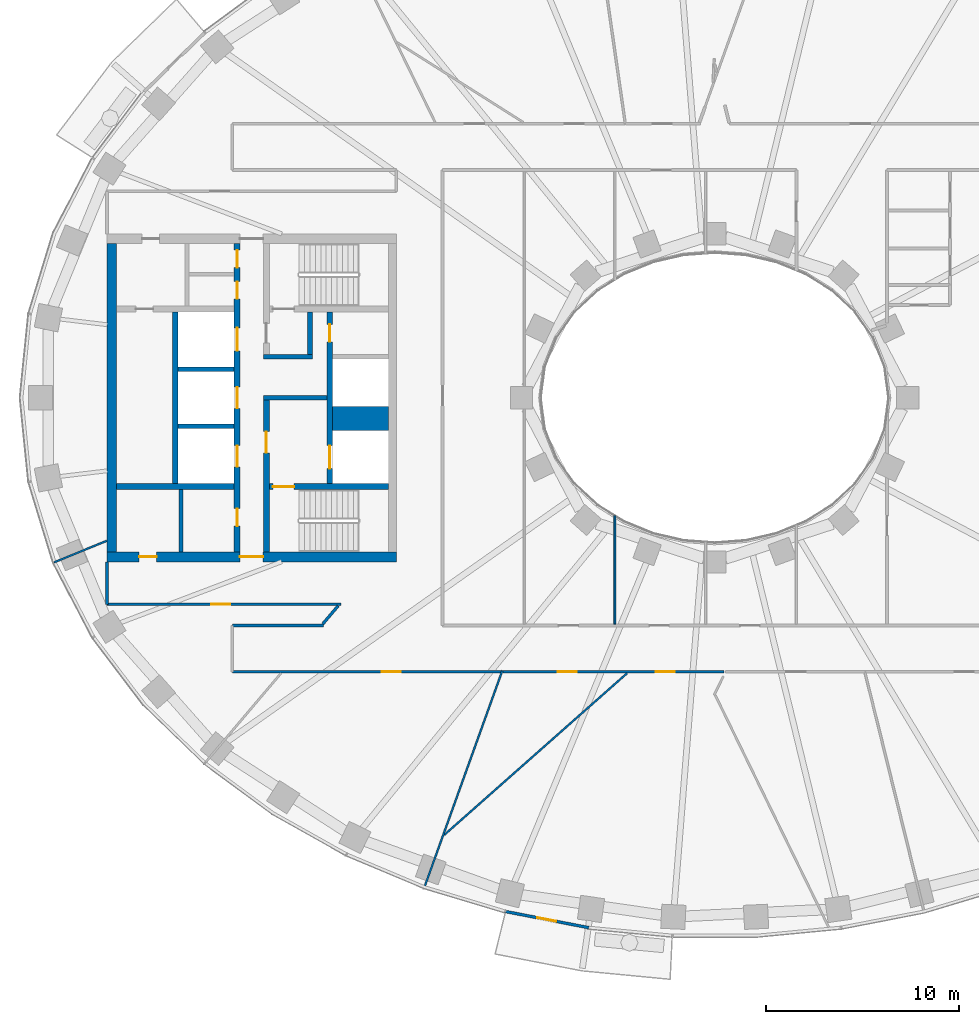
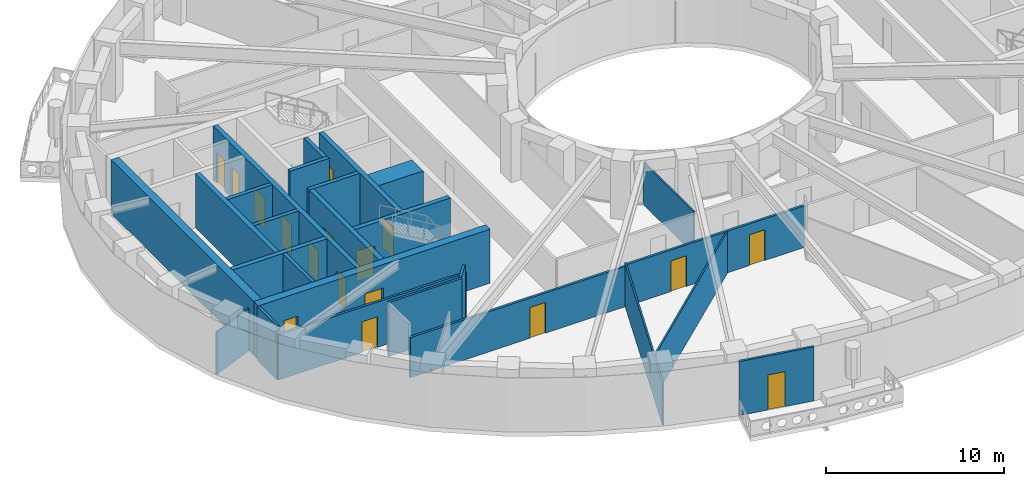
# One storey, part 3 of 16: 26 walls, 17 doors, 17 openings.
"""IFC4 building model written with IfcOpenShell, lengths in metres."""

from ifc_helpers import new_model, si_unit, direction, frame, frame_2d, origin, place, context, subcontext, project, spatial, rectangle, extrude, material, layer, layer_set, type_object, element, fill, save


model = new_model("IFC4")

# Units and contexts
model_context = context("Model", 3, precision=1e-05, world=origin(), true_north=direction((0.0, 1.0)))
body_context = subcontext(model_context, "Body", "Model", "MODEL_VIEW")
ifc_project = project(units=[si_unit("LENGTHUNIT", "METRE"), si_unit("AREAUNIT", "SQUARE_METRE"), si_unit("VOLUMEUNIT", "CUBIC_METRE"), si_unit("PLANEANGLEUNIT", "RADIAN"), si_unit("MASSUNIT", "GRAM", prefix="KILO")], contexts=[model_context])

# Site, building, storey
site_placement = place(None, origin())
site = spatial("IfcSite", under=ifc_project, at=site_placement, CompositionType="ELEMENT")
building_placement = place(site_placement, origin())
building = spatial("IfcBuilding", under=site, at=building_placement, Name="Noorbagh Ring Tower", CompositionType="ELEMENT")
storey_placement = place(building_placement, frame((0.0, 0.0, 124.0)))
storey = spatial("IfcBuildingStorey", under=building, at=storey_placement, Name="L28", CompositionType="ELEMENT", Elevation=124.0)

# Walls
ifc_material_1 = material(Name="Gypsum board on steel studs", Category="steel")
ifc_layer_1 = layer(ifc_material_1, 0.199951171875)
ifc_layer_set_1 = layer_set([ifc_layer_1], Name="Gypsum board on steel studs")
wall_type_1 = type_object("IfcWallType", Name="CORE-PARTITION-200", PredefinedType="PARTITIONING", material=ifc_layer_set_1)
wall_1_placement = place(storey_placement, frame((-27.64990234375, -8.0, 0.0), z_axis=(0.0, 0.0, 1.0), x_axis=(0.0, 1.0, 0.0)))
element("IfcWall", 1, at=wall_1_placement, inside=storey, type_object=wall_type_1, Name="Core partition W", PredefinedType="PARTITIONING", context=body_context, shape_type="SweptSolid", body=[
    extrude(rectangle(XDim=3.25, YDim=0.199951171875, at=frame_2d((1.625, 0.0))), origin(), (0.0, 0.0, 1.0), 3.699951171875),
])
ifc_material_2 = material(Name="Concrete C70/85", Category="concrete")
ifc_layer_2 = layer(ifc_material_2, 1.25)
ifc_layer_set_2 = layer_set([ifc_layer_2], Name="Concrete C70/85")
wall_type_2 = type_object("IfcWallType", Name="CORE-WALL-1250-C70-85-EI120", PredefinedType="SHEAR", material=ifc_layer_set_2)
wall_2_placement = place(storey_placement, frame((-16.89990234375, -1.074951171875, 0.0), z_axis=(0.0, 0.0, 1.0), x_axis=(-1.0, 0.0, 0.0)))
element("IfcWall", 2, at=wall_2_placement, inside=storey, type_object=wall_type_2, Name="Core wall W", PredefinedType="SHEAR", context=body_context, shape_type="SweptSolid", body=[
    extrude(rectangle(XDim=2.900146484375, YDim=1.25, at=frame_2d((1.4501953125, 0.0))), origin(), (0.0, 0.0, 1.0), 3.699951171875),
])
ifc_material_3 = material(Name="Concrete C70/85", Category="concrete")
ifc_layer_3 = layer(ifc_material_3, 0.25)
ifc_layer_set_3 = layer_set([ifc_layer_3], Name="Concrete C70/85")
wall_type_3 = type_object("IfcWallType", Name="CORE-WALL-250-C70-85-EI120", PredefinedType="SHEAR", material=ifc_layer_set_3)
for number, where, z_axis, x_axis, name in (
    (3, (-24.89990234375, -1.47509765625, 0.0), (0.0, 0.0, 1.0), (-1.0, 0.0, 0.0), "Core wall W"),
    (4, (-24.89990234375, 1.47509765625, 0.0), (0.0, 0.0, 1.0), (-1.0, 0.0, 0.0), "Core wall W"),
):
    element("IfcWall", number, at=place(storey_placement, frame(where, z_axis=z_axis, x_axis=x_axis)), inside=storey, type_object=wall_type_3, Name=name, PredefinedType="SHEAR", context=body_context, shape_type="SweptSolid", body=[
        extrude(rectangle(XDim=2.900146484375, YDim=0.25, at=frame_2d((1.4501953125, 0.0))), origin(), (0.0, 0.0, 1.0), 3.699951171875),
    ])
ifc_material_4 = material(Name="Concrete C70/85", Category="concrete")
ifc_layer_4 = layer(ifc_material_4, 0.25)
ifc_layer_set_4 = layer_set([ifc_layer_4], Name="Concrete C70/85")
wall_type_4 = type_object("IfcWallType", Name="CORE-WALL-250-C70-85-EI240", PredefinedType="SHEAR", material=ifc_layer_set_4)
wall_3_placement = place(storey_placement, frame((-20.10009765625, 0.0, 0.0), z_axis=(0.0, 0.0, 1.0), x_axis=(-1.0, 0.0, 0.0)))
element("IfcWall", 5, at=wall_3_placement, inside=storey, type_object=wall_type_4, Name="Core wall W", PredefinedType="SHEAR", context=body_context, shape_type="SweptSolid", body=[
    extrude(rectangle(XDim=3.27978515625, YDim=0.25, at=frame_2d((1.639892578125, 0.0))), origin(), (0.0, 0.0, 1.0), 3.699951171875),
])
wall_4_placement = place(storey_placement, frame((-20.85009765625, 2.125, 0.0), z_axis=(0.0, 0.0, 1.0), x_axis=(-1.0, 0.0, 0.0)))
element("IfcWall", 6, at=wall_4_placement, inside=storey, type_object=wall_type_4, Name="Core wall W", PredefinedType="SHEAR", context=body_context, shape_type="SweptSolid", body=[
    extrude(rectangle(XDim=2.52978515625, YDim=0.25, at=frame_2d((1.264892578125, 0.0))), origin(), (0.0, 0.0, 1.0), 3.699951171875),
])
wall_5_placement = place(storey_placement, frame((-20.97509765625, 2.25, 0.0), z_axis=(0.0, 0.0, 1.0), x_axis=(0.0, 1.0, 0.0)))
element("IfcWall", 7, at=wall_5_placement, inside=storey, type_object=wall_type_4, Name="Core wall W", PredefinedType="SHEAR", context=body_context, shape_type="SweptSolid", body=[
    extrude(rectangle(XDim=2.199951171875, YDim=0.25, at=frame_2d((1.10009765625, 0.0))), origin(), (0.0, 0.0, 1.0), 3.699951171875),
])
ifc_material_5 = material(Name="Concrete C70/85", Category="concrete")
ifc_layer_5 = layer(ifc_material_5, 0.300048828125)
ifc_layer_set_5 = layer_set([ifc_layer_5], Name="Concrete C70/85")
wall_type_5 = type_object("IfcWallType", Name="CORE-WALL-300-C70-85-EI120", PredefinedType="SHEAR", material=ifc_layer_set_5)
wall_6_placement = place(storey_placement, frame((-27.949951171875, -4.449951171875, 0.0), z_axis=(0.0, 0.0, 1.0), x_axis=(0.0, 1.0, 0.0)))
element("IfcWall", 8, at=wall_6_placement, inside=storey, type_object=wall_type_5, Name="Core wall W", PredefinedType="SHEAR", context=body_context, shape_type="SweptSolid", body=[
    extrude(rectangle(XDim=8.89990234375, YDim=0.300048828125, at=frame_2d((4.449951171875, 0.0))), origin(), (0.0, 0.0, 1.0), 3.699951171875),
])

# Wall, openings, doors
wall_7_placement = place(storey_placement, frame((-19.949951171875, -4.449951171875, 0.0), z_axis=(0.0, 0.0, 1.0), x_axis=(0.0, 1.0, 0.0)))
wall_7 = element("IfcWall", 9, at=wall_7_placement, inside=storey, type_object=wall_type_5, Name="Core wall W", PredefinedType="SHEAR", context=body_context, shape_type="SweptSolid", body=[
    extrude(rectangle(XDim=8.89990234375, YDim=0.300048828125, at=frame_2d((4.449951171875, 0.0))), origin(), (0.0, 0.0, 1.0), 3.699951171875),
])
opening_1_placement = place(wall_7_placement, frame((0.77490234375, 0.0, 0.0)))
opening_1 = element("IfcOpeningElement", 10, at=opening_1_placement, cuts=wall_7, Name="Opening L28-CW01", PredefinedType="OPENING", context=body_context, shape_type="SweptSolid", body=[
    extrude(rectangle(XDim=1.199951171875, YDim=2.10009765625, at=frame_2d((0.60009765625, 1.050048828125))), frame((0.0, 0.16015625, 0.0), z_axis=(0.0, -1.0, 0.0), x_axis=(1.0, 0.0, 0.0)), (0.0, 0.0, 1.0), 0.320068359375),
])
opening_2_placement = place(wall_7_placement, frame((7.35009765625, 0.0, 0.0)))
opening_2 = element("IfcOpeningElement", 11, at=opening_2_placement, cuts=wall_7, Name="Opening L28-CW11", PredefinedType="OPENING", context=body_context, shape_type="SweptSolid", body=[
    extrude(rectangle(XDim=0.89990234375, YDim=2.10009765625, at=frame_2d((0.449951171875, 1.050048828125))), frame((0.0, 0.16015625, 0.0), z_axis=(0.0, -1.0, 0.0), x_axis=(1.0, 0.0, 0.0)), (0.0, 0.0, 1.0), 0.320068359375),
])
ifc_material_6 = material(Name="Steel door leaf", Category="steel")
door_type_1 = type_object("IfcDoorType", Name="CORE-DOOR-DROOM", OperationType="SINGLE_SWING_LEFT", PredefinedType="DOOR", material=ifc_material_6)
door_1_placement = place(opening_2_placement, origin())
door_1 = element("IfcDoor", 12, at=door_1_placement, inside=storey, type_object=door_type_1, Name="Core room door L28-CW11", OperationType="SINGLE_SWING_LEFT", OverallHeight=2.10009765625, OverallWidth=0.89990234375, PredefinedType="DOOR", context=body_context, shape_type="SweptSolid", body=[
    extrude(rectangle(XDim=0.89990234375, YDim=2.10009765625, at=frame_2d((0.449951171875, 1.050048828125))), frame((0.0, 0.02490234375, 0.0), z_axis=(0.0, -1.0, 0.0), x_axis=(1.0, 0.0, 0.0)), (0.0, 0.0, 1.0), 0.050048828125),
])
fill(opening_2, door_1)
ifc_material_7 = material(Name="Steel door leaf", Category="steel")
door_type_2 = type_object("IfcDoorType", Name="CORE-DOOR-LDW", OperationType="DOUBLE_DOOR_SLIDING", PredefinedType="DOOR", material=ifc_material_7)
door_2_placement = place(opening_1_placement, origin())
door_2 = element("IfcDoor", 13, at=door_2_placement, inside=storey, type_object=door_type_2, Name="Landing door FF1 L28-CW01", OperationType="DOUBLE_DOOR_SLIDING", OverallHeight=2.10009765625, OverallWidth=1.199951171875, PredefinedType="DOOR", context=body_context, shape_type="SweptSolid", body=[
    extrude(rectangle(XDim=1.199951171875, YDim=2.10009765625, at=frame_2d((0.60009765625, 1.050048828125))), frame((0.0, 0.02490234375, 0.0), z_axis=(0.0, -1.0, 0.0), x_axis=(1.0, 0.0, 0.0)), (0.0, 0.0, 1.0), 0.050048828125),
])
fill(opening_1, door_2)

wall_8_placement = place(storey_placement, frame((-24.75, -8.0, 0.0), z_axis=(0.0, 0.0, 1.0), x_axis=(0.0, 1.0, 0.0)))
wall_8 = element("IfcWall", 14, at=wall_8_placement, inside=storey, type_object=wall_type_5, Name="Core wall W", PredefinedType="SHEAR", context=body_context, shape_type="SweptSolid", body=[
    extrude(rectangle(XDim=16.0, YDim=0.300048828125, at=frame_2d((8.0, 0.0))), origin(), (0.0, 0.0, 1.0), 3.699951171875),
])
opening_3_placement = place(wall_8_placement, frame((4.425048828125, 0.0, 0.0)))
opening_3 = element("IfcOpeningElement", 15, at=opening_3_placement, cuts=wall_8, Name="Opening L28-CW02", PredefinedType="OPENING", context=body_context, shape_type="SweptSolid", body=[
    extrude(rectangle(XDim=1.10009765625, YDim=2.10009765625, at=frame_2d((0.550048828125, 1.050048828125))), frame((0.0, 0.16015625, 0.0), z_axis=(0.0, -1.0, 0.0), x_axis=(1.0, 0.0, 0.0)), (0.0, 0.0, 1.0), 0.320068359375),
])
opening_4_placement = place(wall_8_placement, frame((7.449951171875, 0.0, 0.0)))
opening_4 = element("IfcOpeningElement", 16, at=opening_4_placement, cuts=wall_8, Name="Opening L28-CW03", PredefinedType="OPENING", context=body_context, shape_type="SweptSolid", body=[
    extrude(rectangle(XDim=1.10009765625, YDim=2.10009765625, at=frame_2d((0.550048828125, 1.050048828125))), frame((0.0, 0.16015625, 0.0), z_axis=(0.0, -1.0, 0.0), x_axis=(1.0, 0.0, 0.0)), (0.0, 0.0, 1.0), 0.320068359375),
])
opening_5_placement = place(wall_8_placement, frame((10.425048828125, 0.0, 0.0)))
opening_5 = element("IfcOpeningElement", 17, at=opening_5_placement, cuts=wall_8, Name="Opening L28-CW04", PredefinedType="OPENING", context=body_context, shape_type="SweptSolid", body=[
    extrude(rectangle(XDim=1.199951171875, YDim=2.10009765625, at=frame_2d((0.60009765625, 1.050048828125))), frame((0.0, 0.16015625, 0.0), z_axis=(0.0, -1.0, 0.0), x_axis=(1.0, 0.0, 0.0)), (0.0, 0.0, 1.0), 0.320068359375),
])
opening_6_placement = place(wall_8_placement, frame((13.125, 0.0, 0.0)))
opening_6 = element("IfcOpeningElement", 18, at=opening_6_placement, cuts=wall_8, Name="Opening L28-CW12", PredefinedType="OPENING", context=body_context, shape_type="SweptSolid", body=[
    extrude(rectangle(XDim=0.89990234375, YDim=2.10009765625, at=frame_2d((0.449951171875, 1.050048828125))), frame((0.0, 0.16015625, 0.0), z_axis=(0.0, -1.0, 0.0), x_axis=(1.0, 0.0, 0.0)), (0.0, 0.0, 1.0), 0.320068359375),
])
opening_7_placement = place(wall_8_placement, frame((14.75, 0.0, 0.0)))
opening_7 = element("IfcOpeningElement", 19, at=opening_7_placement, cuts=wall_8, Name="Opening L28-CW13", PredefinedType="OPENING", context=body_context, shape_type="SweptSolid", body=[
    extrude(rectangle(XDim=0.89990234375, YDim=2.10009765625, at=frame_2d((0.449951171875, 1.050048828125))), frame((0.0, 0.16015625, 0.0), z_axis=(0.0, -1.0, 0.0), x_axis=(1.0, 0.0, 0.0)), (0.0, 0.0, 1.0), 0.320068359375),
])
opening_8_placement = place(wall_8_placement, frame((1.35009765625, 0.0, 0.0)))
opening_8 = element("IfcOpeningElement", 20, at=opening_8_placement, cuts=wall_8, Name="Opening L28-CW15", PredefinedType="OPENING", context=body_context, shape_type="SweptSolid", body=[
    extrude(rectangle(XDim=0.89990234375, YDim=2.10009765625, at=frame_2d((0.449951171875, 1.050048828125))), frame((0.0, 0.16015625, 0.0), z_axis=(0.0, -1.0, 0.0), x_axis=(1.0, 0.0, 0.0)), (0.0, 0.0, 1.0), 0.320068359375),
])
door_3_placement = place(opening_6_placement, origin())
door_3 = element("IfcDoor", 21, at=door_3_placement, inside=storey, type_object=door_type_1, Name="Core room door L28-CW12", OperationType="SINGLE_SWING_LEFT", OverallHeight=2.10009765625, OverallWidth=0.89990234375, PredefinedType="DOOR", context=body_context, shape_type="SweptSolid", body=[
    extrude(rectangle(XDim=0.89990234375, YDim=2.10009765625, at=frame_2d((0.449951171875, 1.050048828125))), frame((0.0, 0.02490234375, 0.0), z_axis=(0.0, -1.0, 0.0), x_axis=(1.0, 0.0, 0.0)), (0.0, 0.0, 1.0), 0.050048828125),
])
fill(opening_6, door_3)
door_4_placement = place(opening_7_placement, origin())
door_4 = element("IfcDoor", 22, at=door_4_placement, inside=storey, type_object=door_type_1, Name="Core room door L28-CW13", OperationType="SINGLE_SWING_RIGHT", OverallHeight=2.10009765625, OverallWidth=0.89990234375, PredefinedType="DOOR", context=body_context, shape_type="SweptSolid", body=[
    extrude(rectangle(XDim=0.89990234375, YDim=2.10009765625, at=frame_2d((0.449951171875, 1.050048828125))), frame((0.0, 0.02490234375, 0.0), z_axis=(0.0, -1.0, 0.0), x_axis=(1.0, 0.0, 0.0)), (0.0, 0.0, 1.0), 0.050048828125),
])
fill(opening_7, door_4)
door_5_placement = place(opening_8_placement, origin())
door_5 = element("IfcDoor", 23, at=door_5_placement, inside=storey, type_object=door_type_1, Name="Core room door L28-CW15", OperationType="SINGLE_SWING_LEFT", OverallHeight=2.10009765625, OverallWidth=0.89990234375, PredefinedType="DOOR", context=body_context, shape_type="SweptSolid", body=[
    extrude(rectangle(XDim=0.89990234375, YDim=2.10009765625, at=frame_2d((0.449951171875, 1.050048828125))), frame((0.0, 0.02490234375, 0.0), z_axis=(0.0, -1.0, 0.0), x_axis=(1.0, 0.0, 0.0)), (0.0, 0.0, 1.0), 0.050048828125),
])
fill(opening_8, door_5)
ifc_material_8 = material(Name="Steel door leaf", Category="steel")
door_type_3 = type_object("IfcDoorType", Name="CORE-DOOR-LD", OperationType="DOUBLE_DOOR_SLIDING", PredefinedType="DOOR", material=ifc_material_8)
door_6_placement = place(opening_3_placement, origin())
door_6 = element("IfcDoor", 24, at=door_6_placement, inside=storey, type_object=door_type_3, Name="Landing door LR1 L28-CW02", OperationType="DOUBLE_DOOR_SLIDING", OverallHeight=2.10009765625, OverallWidth=1.10009765625, PredefinedType="DOOR", context=body_context, shape_type="SweptSolid", body=[
    extrude(rectangle(XDim=1.10009765625, YDim=2.10009765625, at=frame_2d((0.550048828125, 1.050048828125))), frame((0.0, 0.02490234375, 0.0), z_axis=(0.0, -1.0, 0.0), x_axis=(1.0, 0.0, 0.0)), (0.0, 0.0, 1.0), 0.050048828125),
])
fill(opening_3, door_6)
door_7_placement = place(opening_4_placement, origin())
door_7 = element("IfcDoor", 25, at=door_7_placement, inside=storey, type_object=door_type_3, Name="Landing door LR2 L28-CW03", OperationType="DOUBLE_DOOR_SLIDING", OverallHeight=2.10009765625, OverallWidth=1.10009765625, PredefinedType="DOOR", context=body_context, shape_type="SweptSolid", body=[
    extrude(rectangle(XDim=1.10009765625, YDim=2.10009765625, at=frame_2d((0.550048828125, 1.050048828125))), frame((0.0, 0.02490234375, 0.0), z_axis=(0.0, -1.0, 0.0), x_axis=(1.0, 0.0, 0.0)), (0.0, 0.0, 1.0), 0.050048828125),
])
fill(opening_4, door_7)
door_8_placement = place(opening_5_placement, origin())
door_8 = element("IfcDoor", 26, at=door_8_placement, inside=storey, type_object=door_type_2, Name="Landing door SV1 L28-CW04", OperationType="DOUBLE_DOOR_SLIDING", OverallHeight=2.10009765625, OverallWidth=1.199951171875, PredefinedType="DOOR", context=body_context, shape_type="SweptSolid", body=[
    extrude(rectangle(XDim=1.199951171875, YDim=2.10009765625, at=frame_2d((0.60009765625, 1.050048828125))), frame((0.0, 0.02490234375, 0.0), z_axis=(0.0, -1.0, 0.0), x_axis=(1.0, 0.0, 0.0)), (0.0, 0.0, 1.0), 0.050048828125),
])
fill(opening_5, door_8)

# Wall
ifc_material_9 = material(Name="Concrete C70/85", Category="concrete")
ifc_layer_6 = layer(ifc_material_9, 0.300048828125)
ifc_layer_set_6 = layer_set([ifc_layer_6], Name="Concrete C70/85")
wall_type_6 = type_object("IfcWallType", Name="CORE-WALL-300-C70-85-EI240", PredefinedType="SHEAR", material=ifc_layer_set_6)
wall_9_placement = place(storey_placement, frame((-24.89990234375, -4.60009765625, 0.0), z_axis=(0.0, 0.0, 1.0), x_axis=(-1.0, 0.0, 0.0)))
element("IfcWall", 27, at=wall_9_placement, inside=storey, type_object=wall_type_6, Name="Core wall W", PredefinedType="SHEAR", context=body_context, shape_type="SweptSolid", body=[
    extrude(rectangle(XDim=6.10009765625, YDim=0.300048828125, at=frame_2d((3.050048828125, 0.0))), origin(), (0.0, 0.0, 1.0), 3.699951171875),
])

# Wall, opening, door
wall_10_placement = place(storey_placement, frame((-23.22998046875, -8.0, 0.0), z_axis=(0.0, 0.0, 1.0), x_axis=(0.0, 1.0, 0.0)))
wall_10 = element("IfcWall", 28, at=wall_10_placement, inside=storey, type_object=wall_type_6, Name="Core wall W", PredefinedType="SHEAR", context=body_context, shape_type="SweptSolid", body=[
    extrude(rectangle(XDim=7.875, YDim=0.300048828125, at=frame_2d((3.9375, 0.0))), origin(), (0.0, 0.0, 1.0), 3.699951171875),
])
opening_9_placement = place(wall_10_placement, frame((5.14990234375, 0.0, 0.0)))
opening_9 = element("IfcOpeningElement", 29, at=opening_9_placement, cuts=wall_10, Name="Opening L28-CW07", PredefinedType="OPENING", context=body_context, shape_type="SweptSolid", body=[
    extrude(rectangle(XDim=1.10009765625, YDim=2.10009765625, at=frame_2d((0.550048828125, 1.050048828125))), frame((0.0, 0.16015625, 0.0), z_axis=(0.0, -1.0, 0.0), x_axis=(1.0, 0.0, 0.0)), (0.0, 0.0, 1.0), 0.320068359375),
])
ifc_material_10 = material(Name="Steel door leaf", Category="steel")
door_type_4 = type_object("IfcDoorType", Name="CORE-DOOR-DFF", OperationType="SINGLE_SWING_LEFT", PredefinedType="DOOR", material=ifc_material_10)
door_9_placement = place(opening_9_placement, origin())
door_9 = element("IfcDoor", 30, at=door_9_placement, inside=storey, type_object=door_type_4, Name="Firefighting lobby door L28-CW07", OperationType="SINGLE_SWING_LEFT", OverallHeight=2.10009765625, OverallWidth=1.10009765625, PredefinedType="DOOR", context=body_context, shape_type="SweptSolid", body=[
    extrude(rectangle(XDim=1.10009765625, YDim=2.10009765625, at=frame_2d((0.550048828125, 1.050048828125))), frame((0.0, 0.02490234375, 0.0), z_axis=(0.0, -1.0, 0.0), x_axis=(1.0, 0.0, 0.0)), (0.0, 0.0, 1.0), 0.050048828125),
])
fill(opening_9, door_9)

wall_11_placement = place(storey_placement, frame((-16.89990234375, -4.60009765625, 0.0), z_axis=(0.0, 0.0, 1.0), x_axis=(-1.0, 0.0, 0.0)))
wall_11 = element("IfcWall", 31, at=wall_11_placement, inside=storey, type_object=wall_type_6, Name="Core wall W", PredefinedType="SHEAR", context=body_context, shape_type="SweptSolid", body=[
    extrude(rectangle(XDim=6.18017578125, YDim=0.300048828125, at=frame_2d((3.090087890625, 0.0))), origin(), (0.0, 0.0, 1.0), 3.699951171875),
])
opening_10_placement = place(wall_11_placement, frame((4.89990234375, 0.0, 0.0)))
opening_10 = element("IfcOpeningElement", 32, at=opening_10_placement, cuts=wall_11, Name="Opening L28-CW06", PredefinedType="OPENING", context=body_context, shape_type="SweptSolid", body=[
    extrude(rectangle(XDim=1.10009765625, YDim=2.10009765625, at=frame_2d((0.550048828125, 1.050048828125))), frame((0.0, 0.16015625, 0.0), z_axis=(0.0, -1.0, 0.0), x_axis=(1.0, 0.0, 0.0)), (0.0, 0.0, 1.0), 0.320068359375),
])
ifc_material_11 = material(Name="Steel door leaf", Category="steel")
door_type_5 = type_object("IfcDoorType", Name="CORE-DOOR-DSTAIR", OperationType="SINGLE_SWING_LEFT", PredefinedType="DOOR", material=ifc_material_11)
door_10_placement = place(opening_10_placement, origin())
door_10 = element("IfcDoor", 33, at=door_10_placement, inside=storey, type_object=door_type_5, Name="Stair door ST2 L28-CW06", OperationType="SINGLE_SWING_LEFT", OverallHeight=2.10009765625, OverallWidth=1.10009765625, PredefinedType="DOOR", context=body_context, shape_type="SweptSolid", body=[
    extrude(rectangle(XDim=1.10009765625, YDim=2.10009765625, at=frame_2d((0.550048828125, 1.050048828125))), frame((0.0, 0.02490234375, 0.0), z_axis=(0.0, -1.0, 0.0), x_axis=(1.0, 0.0, 0.0)), (0.0, 0.0, 1.0), 0.050048828125),
])
fill(opening_10, door_10)

# Wall, openings, doors
ifc_material_12 = material(Name="Concrete C70/85", Category="concrete")
ifc_layer_7 = layer(ifc_material_12, 0.5)
ifc_layer_set_7 = layer_set([ifc_layer_7], Name="Concrete C70/85")
wall_type_7 = type_object("IfcWallType", Name="CORE-WALL-500-C70-85-EI240", PredefinedType="SHEAR", material=ifc_layer_set_7)
wall_12_placement = place(storey_placement, frame((-16.5, -8.25, 0.0), z_axis=(0.0, 0.0, 1.0), x_axis=(-1.0, 0.0, 0.0)))
wall_12 = element("IfcWall", 34, at=wall_12_placement, inside=storey, type_object=wall_type_7, Name="Core wall W", PredefinedType="SHEAR", context=body_context, shape_type="SweptSolid", body=[
    extrude(rectangle(XDim=15.0, YDim=0.5, at=frame_2d((7.5, 0.0))), origin(), (0.0, 0.0, 1.0), 3.699951171875),
])
opening_11_placement = place(wall_12_placement, frame((6.89990234375, 0.0, 0.0)))
opening_11 = element("IfcOpeningElement", 35, at=opening_11_placement, cuts=wall_12, Name="Opening L28-CW10", PredefinedType="OPENING", context=body_context, shape_type="SweptSolid", body=[
    extrude(rectangle(XDim=1.199951171875, YDim=2.10009765625, at=frame_2d((0.60009765625, 1.050048828125))), frame((0.0, 0.260009765625, 0.0), z_axis=(0.0, -1.0, 0.0), x_axis=(1.0, 0.0, 0.0)), (0.0, 0.0, 1.0), 0.52001953125),
])
opening_12_placement = place(wall_12_placement, frame((12.425048828125, 0.0, 0.0)))
opening_12 = element("IfcOpeningElement", 36, at=opening_12_placement, cuts=wall_12, Name="Opening L28-CW16", PredefinedType="OPENING", context=body_context, shape_type="SweptSolid", body=[
    extrude(rectangle(XDim=0.89990234375, YDim=2.10009765625, at=frame_2d((0.449951171875, 1.050048828125))), frame((0.0, 0.260009765625, 0.0), z_axis=(0.0, -1.0, 0.0), x_axis=(1.0, 0.0, 0.0)), (0.0, 0.0, 1.0), 0.52001953125),
])
door_11_placement = place(opening_12_placement, origin())
door_11 = element("IfcDoor", 37, at=door_11_placement, inside=storey, type_object=door_type_1, Name="Core room door L28-CW16", OperationType="SINGLE_SWING_LEFT", OverallHeight=2.10009765625, OverallWidth=0.89990234375, PredefinedType="DOOR", context=body_context, shape_type="SweptSolid", body=[
    extrude(rectangle(XDim=0.89990234375, YDim=2.10009765625, at=frame_2d((0.449951171875, 1.050048828125))), frame((0.0, 0.02490234375, 0.0), z_axis=(0.0, -1.0, 0.0), x_axis=(1.0, 0.0, 0.0)), (0.0, 0.0, 1.0), 0.050048828125),
])
fill(opening_12, door_11)
ifc_material_13 = material(Name="Steel door leaf", Category="steel")
door_type_6 = type_object("IfcDoorType", Name="CORE-DOOR-PORT", OperationType="DOUBLE_DOOR_DOUBLE_SWING", PredefinedType="DOOR", material=ifc_material_13)
door_12_placement = place(opening_11_placement, origin())
door_12 = element("IfcDoor", 38, at=door_12_placement, inside=storey, type_object=door_type_6, Name="Core entrance door L28-CW10", OperationType="DOUBLE_DOOR_DOUBLE_SWING", OverallHeight=2.10009765625, OverallWidth=1.199951171875, PredefinedType="DOOR", context=body_context, shape_type="SweptSolid", body=[
    extrude(rectangle(XDim=1.199951171875, YDim=2.10009765625, at=frame_2d((0.60009765625, 1.050048828125))), frame((0.0, 0.02490234375, 0.0), z_axis=(0.0, -1.0, 0.0), x_axis=(1.0, 0.0, 0.0)), (0.0, 0.0, 1.0), 0.050048828125),
])
fill(opening_11, door_12)

# Walls
wall_13_placement = place(storey_placement, frame((-31.25, -8.0, 0.0), z_axis=(0.0, 0.0, 1.0), x_axis=(0.0, 1.0, 0.0)))
element("IfcWall", 39, at=wall_13_placement, inside=storey, type_object=wall_type_7, Name="Core wall W", PredefinedType="SHEAR", context=body_context, shape_type="SweptSolid", body=[
    extrude(rectangle(XDim=16.0, YDim=0.5, at=frame_2d((8.0, 0.0))), origin(), (0.0, 0.0, 1.0), 3.699951171875),
])
ifc_material_14 = material(Name="Gypsum board on steel studs", Category="steel")
ifc_layer_8 = layer(ifc_material_14, 0.14990234375)
ifc_layer_set_8 = layer_set([ifc_layer_8], Name="Gypsum board on steel studs")
wall_type_8 = type_object("IfcWallType", Name="CORRIDOR PARTITION 150 EI 30", PredefinedType="PARTITIONING", material=ifc_layer_set_8)
wall_14_placement = place(storey_placement, frame((-31.5, -10.699951171875, 0.0), z_axis=(0.0, 0.0, 1.0), x_axis=(0.0, 1.0, 0.0)))
element("IfcWall", 40, at=wall_14_placement, inside=storey, type_object=wall_type_8, Name="L28/wall/P02", PredefinedType="PARTITIONING", context=body_context, shape_type="SweptSolid", body=[
    extrude(rectangle(XDim=2.199951171875, YDim=0.14990234375, at=frame_2d((1.10009765625, 0.0))), origin(), (0.0, 0.0, 1.0), 3.699951171875),
])

# Wall, opening, door
wall_15_placement = place(storey_placement, frame((-31.5, -10.699951171875, 0.0), z_axis=(0.0, 0.0, 1.0), x_axis=(1.0, 0.0, 0.0)))
wall_15 = element("IfcWall", 41, at=wall_15_placement, inside=storey, type_object=wall_type_8, Name="L28/wall/P03", PredefinedType="PARTITIONING", context=body_context, shape_type="SweptSolid", body=[
    extrude(rectangle(XDim=12.14697265625, YDim=0.14990234375, at=frame_2d((6.073486328125, 0.0))), origin(), (0.0, 0.0, 1.0), 3.10009765625),
])
opening_13_placement = place(wall_15_placement, frame((5.39990234375, 0.0, 0.0)))
opening_13 = element("IfcOpeningElement", 42, at=opening_13_placement, cuts=wall_15, Name="Opening D1", PredefinedType="OPENING", context=body_context, shape_type="SweptSolid", body=[
    extrude(rectangle(XDim=1.0, YDim=2.10009765625, at=frame_2d((0.5, 1.050048828125))), frame((0.0, 0.0849609375, 0.0), z_axis=(0.0, -1.0, 0.0), x_axis=(1.0, 0.0, 0.0)), (0.0, 0.0, 1.0), 0.169921875),
])
ifc_material_15 = material(Name="Timber, painted", Category="wood")
door_type_7 = type_object("IfcDoorType", Name="DOOR 1000 X 2100 FD30", OperationType="SINGLE_SWING_LEFT", PredefinedType="DOOR", material=ifc_material_15)
door_13_placement = place(opening_13_placement, origin())
door_13 = element("IfcDoor", 43, at=door_13_placement, inside=storey, type_object=door_type_7, Name="L28-D07", OperationType="SINGLE_SWING_LEFT", OverallHeight=2.10009765625, OverallWidth=1.0, PredefinedType="DOOR", context=body_context, shape_type="SweptSolid", body=[
    extrude(rectangle(XDim=1.0, YDim=2.10009765625, at=frame_2d((0.5, 1.050048828125))), frame((0.0, 0.02490234375, 0.0), z_axis=(0.0, -1.0, 0.0), x_axis=(1.0, 0.0, 0.0)), (0.0, 0.0, 1.0), 0.050048828125),
])
fill(opening_13, door_13)

wall_16_placement = place(storey_placement, frame((-25.0, -14.199951171875, 0.0), z_axis=(0.0, 0.0, 1.0), x_axis=(1.0, 0.0, 0.0)))
wall_16 = element("IfcWall", 44, at=wall_16_placement, inside=storey, type_object=wall_type_8, Name="L28/wall/P08", PredefinedType="PARTITIONING", context=body_context, shape_type="SweptSolid", body=[
    extrude(rectangle(XDim=13.9609375, YDim=0.14990234375, at=frame_2d((6.98046875, 0.0))), origin(), (0.0, 0.0, 1.0), 2.75),
])
opening_14_placement = place(wall_16_placement, frame((7.73388671875, 0.0, 0.0)))
opening_14 = element("IfcOpeningElement", 45, at=opening_14_placement, cuts=wall_16, Name="Opening D1", PredefinedType="OPENING", context=body_context, shape_type="SweptSolid", body=[
    extrude(rectangle(XDim=1.0, YDim=2.10009765625, at=frame_2d((0.5, 1.050048828125))), frame((0.0, 0.0849609375, 0.0), z_axis=(0.0, -1.0, 0.0), x_axis=(1.0, 0.0, 0.0)), (0.0, 0.0, 1.0), 0.169921875),
])
door_14_placement = place(opening_14_placement, origin())
door_14 = element("IfcDoor", 46, at=door_14_placement, inside=storey, type_object=door_type_7, Name="L28-D08", OperationType="SINGLE_SWING_RIGHT", OverallHeight=2.10009765625, OverallWidth=1.0, PredefinedType="DOOR", context=body_context, shape_type="SweptSolid", body=[
    extrude(rectangle(XDim=1.0, YDim=2.10009765625, at=frame_2d((0.5, 1.050048828125))), frame((0.0, 0.02490234375, 0.0), z_axis=(0.0, -1.0, 0.0), x_axis=(1.0, 0.0, 0.0)), (0.0, 0.0, 1.0), 0.050048828125),
])
fill(opening_14, door_14)

# Walls
wall_17_placement = place(storey_placement, frame((-25.0, -11.800048828125, 0.0), z_axis=(0.0, 0.0, 1.0), x_axis=(1.0, 0.0, 0.0)))
element("IfcWall", 47, at=wall_17_placement, inside=storey, type_object=wall_type_8, Name="L28/wall/P09", PredefinedType="PARTITIONING", context=body_context, shape_type="SweptSolid", body=[
    extrude(rectangle(XDim=4.720947265625, YDim=0.14990234375, at=frame_2d((2.3603515625, 0.0))), origin(), (0.0, 0.0, 1.0), 3.699951171875),
])
wall_18_placement = place(storey_placement, frame((-20.31298828125, -11.72509765625, 0.0), z_axis=(0.0, 0.0, 1.0), x_axis=(0.646259667917, 0.763117580471, 0.0)))
element("IfcWall", 48, at=wall_18_placement, inside=storey, type_object=wall_type_8, Name="L28/wall/P13", PredefinedType="PARTITIONING", context=body_context, shape_type="SweptSolid", body=[
    extrude(rectangle(XDim=1.240966796875, YDim=0.14990234375, at=frame_2d((0.62060546875, 0.0))), origin(), (0.0, 0.0, 1.0), 3.699951171875),
])

# Wall, openings, doors
wall_19_placement = place(storey_placement, frame((-10.97412109375, -14.199951171875, 0.0), z_axis=(0.0, 0.0, 1.0), x_axis=(1.0, 0.0, 0.0)))
wall_19 = element("IfcWall", 49, at=wall_19_placement, inside=storey, type_object=wall_type_8, Name="L28/wall/P22", PredefinedType="PARTITIONING", context=body_context, shape_type="SweptSolid", body=[
    extrude(rectangle(XDim=11.462158203125, YDim=0.14990234375, at=frame_2d((5.73095703125, 0.0))), origin(), (0.0, 0.0, 1.0), 2.85009765625),
])
opening_15_placement = place(wall_19_placement, frame((7.9130859375, 0.0, 0.0)))
opening_15 = element("IfcOpeningElement", 50, at=opening_15_placement, cuts=wall_19, Name="Opening D1", PredefinedType="OPENING", context=body_context, shape_type="SweptSolid", body=[
    extrude(rectangle(XDim=1.0, YDim=2.10009765625, at=frame_2d((0.5, 1.050048828125))), frame((0.0, 0.0849609375, 0.0), z_axis=(0.0, -1.0, 0.0), x_axis=(1.0, 0.0, 0.0)), (0.0, 0.0, 1.0), 0.169921875),
])
opening_16_placement = place(wall_19_placement, frame((2.8349609375, 0.0, 0.0)))
opening_16 = element("IfcOpeningElement", 51, at=opening_16_placement, cuts=wall_19, Name="Opening D1", PredefinedType="OPENING", context=body_context, shape_type="SweptSolid", body=[
    extrude(rectangle(XDim=1.0, YDim=2.10009765625, at=frame_2d((0.5, 1.050048828125))), frame((0.0, 0.0849609375, 0.0), z_axis=(0.0, -1.0, 0.0), x_axis=(1.0, 0.0, 0.0)), (0.0, 0.0, 1.0), 0.169921875),
])
door_15_placement = place(opening_15_placement, origin())
door_15 = element("IfcDoor", 52, at=door_15_placement, inside=storey, type_object=door_type_7, Name="L28-D11", OperationType="SINGLE_SWING_LEFT", OverallHeight=2.10009765625, OverallWidth=1.0, PredefinedType="DOOR", context=body_context, shape_type="SweptSolid", body=[
    extrude(rectangle(XDim=1.0, YDim=2.10009765625, at=frame_2d((0.5, 1.050048828125))), frame((0.0, 0.02490234375, 0.0), z_axis=(0.0, -1.0, 0.0), x_axis=(1.0, 0.0, 0.0)), (0.0, 0.0, 1.0), 0.050048828125),
])
fill(opening_15, door_15)
door_16_placement = place(opening_16_placement, origin())
door_16 = element("IfcDoor", 53, at=door_16_placement, inside=storey, type_object=door_type_7, Name="L28-D12", OperationType="SINGLE_SWING_RIGHT", OverallHeight=2.10009765625, OverallWidth=1.0, PredefinedType="DOOR", context=body_context, shape_type="SweptSolid", body=[
    extrude(rectangle(XDim=1.0, YDim=2.10009765625, at=frame_2d((0.5, 1.050048828125))), frame((0.0, 0.02490234375, 0.0), z_axis=(0.0, -1.0, 0.0), x_axis=(1.0, 0.0, 0.0)), (0.0, 0.0, 1.0), 0.050048828125),
])
fill(opening_16, door_16)

# Wall, opening, door
ifc_material_16 = material(Name="Insulated aluminium clad panel", Category="aluminium")
ifc_layer_9 = layer(ifc_material_16, 0.14990234375)
ifc_layer_set_9 = layer_set([ifc_layer_9], Name="Insulated aluminium clad panel")
wall_type_9 = type_object("IfcWallType", Name="ENV-WALL-DOOR", PredefinedType="STANDARD", material=ifc_layer_set_9)
wall_20_placement = place(storey_placement, frame((-10.87060546875, -26.616943359375, 0.0), z_axis=(0.0, 0.0, 1.0), x_axis=(0.981631174778, -0.190788460615, 0.0)))
wall_20 = element("IfcWall", 54, at=wall_20_placement, inside=storey, type_object=wall_type_9, Name="Balcony door wall chord 33", PredefinedType="STANDARD", context=body_context, shape_type="SweptSolid", body=[
    extrude(rectangle(XDim=4.42626953125, YDim=0.14990234375, at=frame_2d((2.213134765625, 0.0))), origin(), (0.0, 0.0, 1.0), 3.699951171875),
])
opening_17_placement = place(wall_20_placement, frame((1.713134765625, 0.0, 0.0)))
opening_17 = element("IfcOpeningElement", 55, at=opening_17_placement, cuts=wall_20, Name="Opening D-BL", PredefinedType="OPENING", context=body_context, shape_type="SweptSolid", body=[
    extrude(rectangle(XDim=1.0, YDim=2.39990234375, at=frame_2d((0.5, 1.199951171875))), frame((0.0, 0.0849609375, 0.0), z_axis=(0.0, -1.0, 0.0), x_axis=(1.0, 0.0, 0.0)), (0.0, 0.0, 1.0), 0.169921875),
])
ifc_material_17 = material(Name="Aluminium and glass", Category="aluminium")
door_type_8 = type_object("IfcDoorType", Name="ENV-DOOR-BALCONY", OperationType="SINGLE_SWING_LEFT", PredefinedType="DOOR", material=ifc_material_17)
door_17_placement = place(opening_17_placement, origin())
door_17 = element("IfcDoor", 56, at=door_17_placement, inside=storey, type_object=door_type_8, Name="Balcony door chord 33", OperationType="SINGLE_SWING_LEFT", OverallHeight=2.39990234375, OverallWidth=1.0, PredefinedType="DOOR", context=body_context, shape_type="SweptSolid", body=[
    extrude(rectangle(XDim=1.0, YDim=2.39990234375, at=frame_2d((0.5, 1.199951171875))), frame((0.0, 0.02490234375, 0.0), z_axis=(0.0, -1.0, 0.0), x_axis=(1.0, 0.0, 0.0)), (0.0, 0.0, 1.0), 0.050048828125),
])
fill(opening_17, door_17)

# Walls
ifc_material_18 = material(Name="Gypsum board on steel studs", Category="steel")
ifc_layer_10 = layer(ifc_material_18, 0.10009765625)
ifc_layer_set_10 = layer_set([ifc_layer_10], Name="Gypsum board on steel studs")
wall_type_10 = type_object("IfcWallType", Name="PARTITION 100 GYPSUM", PredefinedType="PARTITIONING", material=ifc_layer_set_10)
wall_21_placement = place(storey_placement, frame((-34.23388671875, -8.530029296875, 0.0), z_axis=(0.0, 0.0, 1.0), x_axis=(0.925344112436, 0.379128307542, 0.0)))
element("IfcWall", 57, at=wall_21_placement, inside=storey, type_object=wall_type_10, Name="L28/wall/P01", PredefinedType="PARTITIONING", context=body_context, shape_type="SweptSolid", body=[
    extrude(rectangle(XDim=2.954345703125, YDim=0.10009765625, at=frame_2d((1.47705078125, 0.0))), origin(), (0.0, 0.0, 1.0), 2.89990234375),
])
wall_22_placement = place(storey_placement, frame((-15.049072265625, -25.383056640625, 0.0), z_axis=(0.0, 0.0, 1.0), x_axis=(0.338467907901, 0.940977935619, 0.0)))
element("IfcWall", 58, at=wall_22_placement, inside=storey, type_object=wall_type_10, Name="L28/wall/P17", PredefinedType="PARTITIONING", context=body_context, shape_type="SweptSolid", body=[
    extrude(rectangle(XDim=11.9599609375, YDim=0.10009765625, at=frame_2d((5.97998046875, 0.0))), origin(), (0.0, 0.0, 1.0), 2.89990234375),
])
wall_23_placement = place(storey_placement, frame((-14.013916015625, -22.654052734375, 0.0), z_axis=(0.0, 0.0, 1.0), x_axis=(0.749047794047, 0.662515963757, 0.0)))
element("IfcWall", 59, at=wall_23_placement, inside=storey, type_object=wall_type_10, Name="L28/wall/P21", PredefinedType="PARTITIONING", context=body_context, shape_type="SweptSolid", body=[
    extrude(rectangle(XDim=12.642578125, YDim=0.10009765625, at=frame_2d((6.3212890625, 0.0))), origin(), (0.0, 0.0, 1.0), 2.85009765625),
])
wall_24_placement = place(storey_placement, frame((-5.169921875, -11.72509765625, 0.0), z_axis=(0.0, 0.0, 1.0), x_axis=(0.0, 1.0, 0.0)))
element("IfcWall", 60, at=wall_24_placement, inside=storey, type_object=wall_type_10, Name="L28/wall/P26", PredefinedType="PARTITIONING", context=body_context, shape_type="SweptSolid", body=[
    extrude(rectangle(XDim=5.6201171875, YDim=0.10009765625, at=frame_2d((2.81005859375, 0.0))), origin(), (0.0, 0.0, 1.0), 2.89990234375),
])

save(model, "model.ifc")
